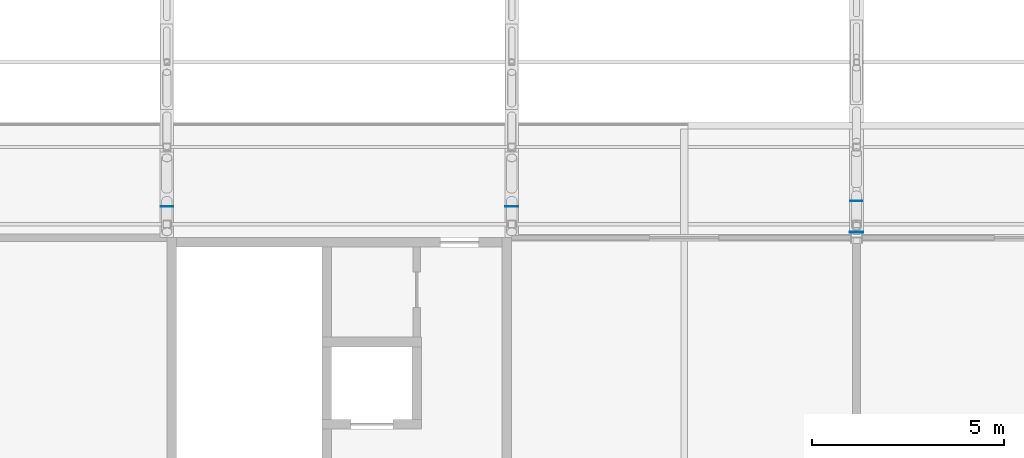
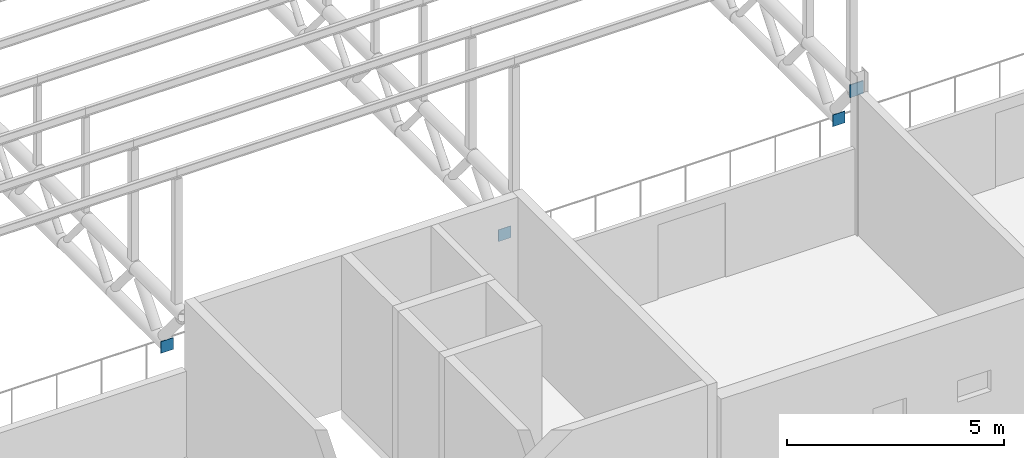
# One storey, part 104 of 138: 4 plates.
"""IFC4 building model written with IfcOpenShell, lengths in metres."""

import ifcopenshell
import ifcopenshell.guid

model = None  # the IFC model being written
_history = None  # IfcOwnerHistory: only IFC2X3 demands one
_inside = {}  # id of a spatial element -> (the spatial element, [elements in it])
_under = {}  # id of a project, library or spatial element -> (it, [spatial elements below it])
_declared = {}  # id of a project -> (the project, [libraries it declares])
_typed = {}  # id of a type object -> (the type object, [elements of that type])
_made_of = {}  # id of a material, layer set ... -> (it, [elements and type objects made of it])


def new_model(schema):
    """Start an empty IFC model of exactly this schema.

    Asked for "IFC4X3", IfcOpenShell would pick the latest addendum, in which some entities
    have other attributes; the version numbers below select the first issue.
    IFC2X3 requires an IfcOwnerHistory on every rooted entity: one is made here for all.
    """
    global model, _history
    if schema == "IFC4X3":
        model = ifcopenshell.file(schema_version=(4, 3, 0, 0))
    else:
        model = ifcopenshell.file(schema=schema)
    _inside.clear()
    _under.clear()
    _declared.clear()
    _typed.clear()
    _made_of.clear()
    _history = None
    if model.schema == "IFC2X3":
        org = make("IfcOrganization", Name="unknown")
        user = make(
            "IfcPersonAndOrganization",
            ThePerson=make("IfcPerson", FamilyName="unknown"),
            TheOrganization=org,
        )
        app = make(
            "IfcApplication",
            ApplicationDeveloper=org,
            Version="unknown",
            ApplicationFullName="unknown",
            ApplicationIdentifier="unknown",
        )
        _history = make(
            "IfcOwnerHistory",
            OwningUser=user,
            OwningApplication=app,
            ChangeAction="ADDED",
            CreationDate=0,
        )
    return model


def make(cls, **values):
    """One entity of the class cls with the attributes given. An attribute that is None is left unset."""
    return model.create_entity(
        cls, **{name: value for name, value in values.items() if value is not None}
    )


def rooted(cls, **values):
    """An entity with a GlobalId (a new one), such as an element, a storey or a relation."""
    return make(cls, GlobalId=ifcopenshell.guid.new(), OwnerHistory=_history, **values)


def si_unit(unit_type, name, prefix=None):
    """IfcSIUnit, for example si_unit("LENGTHUNIT", "METRE", prefix="MILLI")."""
    return make("IfcSIUnit", UnitType=unit_type, Prefix=prefix, Name=name)


def assignment(units):
    """IfcUnitAssignment: the units of a project."""
    return None if units is None else make("IfcUnitAssignment", Units=units)


def point(xyz):
    """IfcCartesianPoint."""
    return None if xyz is None else make("IfcCartesianPoint", Coordinates=xyz)


def direction(xyz):
    """IfcDirection."""
    return None if xyz is None else make("IfcDirection", DirectionRatios=xyz)


def frame(location, z_axis=None, x_axis=None):
    """IfcAxis2Placement3D, a coordinate frame: its origin and axes. An axis left out is left unset."""
    return make(
        "IfcAxis2Placement3D",
        Location=point(location),
        Axis=direction(z_axis),
        RefDirection=direction(x_axis),
    )


def frame_2d(location, x_axis=None):
    """IfcAxis2Placement2D, a coordinate frame in the plane: its origin and x axis."""
    return make(
        "IfcAxis2Placement2D", Location=point(location), RefDirection=direction(x_axis)
    )


def origin():
    """The frame at (0, 0, 0) with its axes left unset."""
    return frame((0.0, 0.0, 0.0))


def origin_2d():
    """The frame at (0, 0) in the plane with its x axis left unset."""
    return frame_2d((0.0, 0.0))


def place(relative_to, where):
    """IfcLocalPlacement: puts the frame where relative to a parent placement (None: the world)."""
    return make(
        "IfcLocalPlacement", PlacementRelTo=relative_to, RelativePlacement=where
    )


def context(
    kind, dimensions, precision=None, world=None, true_north=None, identifier=None
):
    """IfcGeometricRepresentationContext, for example the 3D "Model" context."""
    return make(
        "IfcGeometricRepresentationContext",
        ContextIdentifier=identifier,
        ContextType=kind,
        CoordinateSpaceDimension=dimensions,
        Precision=precision,
        WorldCoordinateSystem=world,
        TrueNorth=true_north,
    )


def subcontext(parent, identifier, kind, view, scale=None):
    """IfcGeometricRepresentationSubContext, for example "Body" below "Model"."""
    return make(
        "IfcGeometricRepresentationSubContext",
        ContextIdentifier=identifier,
        ContextType=kind,
        ParentContext=parent,
        TargetScale=scale,
        TargetView=view,
    )


def project(units=None, contexts=None):
    """IfcProject with its units and contexts."""
    return rooted(
        "IfcProject",
        Name="project",
        RepresentationContexts=contexts,
        UnitsInContext=assignment(units),
    )


def spatial(cls, under=None, at=None, **own):
    """A site, building, storey or space (cls), placed at a placement, below another one or the project."""
    s = rooted(cls, ObjectPlacement=at, **own)
    if under is not None:
        _under.setdefault(under.id(), (under, []))[1].append(s)
    return s


def profile(cls, at=None, kind="AREA", **sizes):
    """A parametric profile (cls). Its sizes go by their IFC names, for example OverallWidth=200.0."""
    return make(cls, ProfileType=kind, Position=at, **sizes)


def rectangle(**sizes):
    """IfcRectangleProfileDef."""
    return profile("IfcRectangleProfileDef", **sizes)


def extrude(swept, where, along, depth):
    """IfcExtrudedAreaSolid: the profile swept, set in the frame where, extruded along a direction by depth."""
    return make(
        "IfcExtrudedAreaSolid",
        SweptArea=swept,
        Position=where,
        ExtrudedDirection=direction(along),
        Depth=depth,
    )


def shape(context_of_items, identifier, shape_type, items):
    """IfcShapeRepresentation: the items that make up one representation, for example the "Body"."""
    return make(
        "IfcShapeRepresentation",
        ContextOfItems=context_of_items,
        RepresentationIdentifier=identifier,
        RepresentationType=shape_type,
        Items=items,
    )


def material(Name=None, Category=None):
    """IfcMaterial."""
    return make("IfcMaterial", Name=Name, Category=Category)


def layer(
    of_material, thickness, ventilated=None, Name=None, Category=None, Priority=None
):
    """IfcMaterialLayer: one layer of a wall or slab, of a material (None: an air gap)."""
    return make(
        "IfcMaterialLayer",
        Material=of_material,
        LayerThickness=thickness,
        IsVentilated=ventilated,
        Name=Name,
        Category=Category,
        Priority=Priority,
    )


def layer_set(layers, Name=None):
    """IfcMaterialLayerSet."""
    return make("IfcMaterialLayerSet", MaterialLayers=layers, LayerSetName=Name)


def made_of(thing, what):
    """Note that an element or type object is made of a material, layer set ...; save() writes the relation."""
    if what is not None:
        _made_of.setdefault(what.id(), (what, []))[1].append(thing)
    return thing


def type_object(cls, material=None, **own):
    """A type object (cls), such as IfcWallType, which elements share."""
    return made_of(rooted(cls, **own), material)


def element(
    cls,
    number,
    at=None,
    inside=None,
    cuts=None,
    type_object=None,
    material=None,
    context=None,
    identifier="Body",
    shape_type=None,
    held_by="IfcProductDefinitionShape",
    body=None,
    shapes=None,
    **own,
):
    """One element of the class cls, such as IfcWall. Its Tag is "e" and its number.

    at: its placement. inside: the storey or other place that contains it. cuts: it is an
    opening in that element (IfcRelVoidsElement). A single representation is given by context,
    identifier, shape_type and body (its items); several are given by shapes. held_by: the class
    of the entity that holds the representations. save() writes the other relations.
    """
    e = rooted(cls, Tag="e%d" % number, ObjectPlacement=at, **own)
    if body is not None:
        shapes = [shape(context, identifier, shape_type, body)]
    if shapes is not None:
        e.Representation = make(held_by, Representations=shapes)
    if inside is not None:
        _inside.setdefault(inside.id(), (inside, []))[1].append(e)
    if cuts is not None:
        rooted(
            "IfcRelVoidsElement", RelatingBuildingElement=cuts, RelatedOpeningElement=e
        )
    if type_object is not None:
        _typed.setdefault(type_object.id(), (type_object, []))[1].append(e)
    return made_of(e, material)


def aggregate(whole, parts):
    """IfcRelAggregates: a whole, such as a stair, and the parts it consists of."""
    return rooted("IfcRelAggregates", RelatingObject=whole, RelatedObjects=parts)


def save(model, path):
    """Write the relations noted so far, then the file.

    IfcRelAggregates (storeys below a building ...), IfcRelContainedInSpatialStructure (elements
    in a storey), IfcRelDefinesByType, IfcRelAssociatesMaterial and IfcRelDeclares: one each for
    every whole, place, type object, material and project.
    """
    for whole, parts in _under.values():
        aggregate(whole, parts)
    for where, things in _inside.values():
        rooted(
            "IfcRelContainedInSpatialStructure",
            RelatedElements=things,
            RelatingStructure=where,
        )
    for kind, things in _typed.values():
        rooted("IfcRelDefinesByType", RelatedObjects=things, RelatingType=kind)
    for what, things in _made_of.values():
        rooted("IfcRelAssociatesMaterial", RelatedObjects=things, RelatingMaterial=what)
    for by, libraries in _declared.values():
        rooted("IfcRelDeclares", RelatingContext=by, RelatedDefinitions=libraries)
    model.write(path)


model = new_model("IFC4")

# Units and contexts
model_context = context("Model", 3, precision=1e-05, world=origin(), true_north=direction((0.0, 1.0)))
body_context = subcontext(model_context, "Body", "Model", "MODEL_VIEW")
ifc_project = project(units=[si_unit("LENGTHUNIT", "METRE"), si_unit("AREAUNIT", "SQUARE_METRE"), si_unit("VOLUMEUNIT", "CUBIC_METRE"), si_unit("PLANEANGLEUNIT", "RADIAN"), si_unit("MASSUNIT", "GRAM", prefix="KILO")], contexts=[model_context])

# Site, building, storey
site_placement = place(None, origin())
site = spatial("IfcSite", under=ifc_project, at=site_placement, CompositionType="ELEMENT")
building_placement = place(site_placement, origin())
building = spatial("IfcBuilding", under=site, at=building_placement, Name="Corbel Yard City Hall", CompositionType="ELEMENT")
storey_placement = place(building_placement, frame((0.0, 0.0, 10.5)))
storey = spatial("IfcBuildingStorey", under=building, at=storey_placement, Name="L02", CompositionType="ELEMENT", Elevation=10.5)

# Plates
ifc_material = material(Name="Steel Grade 300 (300 MPa yield)", Category="steel")
ifc_layer_1 = layer(ifc_material, 0.01611328125)
ifc_layer_set_1 = layer_set([ifc_layer_1], Name="Steel Grade 300 (300 MPa yield)")
plate_type_1 = type_object("IfcPlateType", Name="Truss bottom chord cap plate", PredefinedType="NOTDEFINED", material=ifc_layer_set_1)
for number, where, z_axis, x_axis, name in (
    (1, (45.0, 9.807373046875, 2.42724609375), (0.0, 0.0, 1.0), (1.0, 0.0, 0.0), "Truss bottom chord cap plate EP2"),
    (2, (54.0, 9.807373046875, 2.42724609375), (0.0, 0.0, 1.0), (1.0, 0.0, 0.0), "Truss bottom chord cap plate EP2"),
    (3, (63.0, 9.950439453125, 2.42724609375), (0.0, 0.0, 1.0), (1.0, 0.0, 0.0), "Truss bottom chord cap plate EP2"),
):
    element("IfcPlate", number, at=place(storey_placement, frame(where, z_axis=z_axis, x_axis=x_axis)), inside=storey, type_object=plate_type_1, Name=name, PredefinedType="NOTDEFINED", context=body_context, shape_type="SweptSolid", body=[
        extrude(rectangle(XDim=0.330078125, YDim=0.01611328125, at=origin_2d()), origin(), (0.0, 0.0, 1.0), 0.330078125),
    ])
ifc_layer_2 = layer(ifc_material, 0.02490234375)
ifc_layer_set_2 = layer_set([ifc_layer_2], Name="Steel Grade 300 (300 MPa yield)")
plate_type_2 = type_object("IfcPlateType", Name="Truss top chord end plate", PredefinedType="NOTDEFINED", material=ifc_layer_set_2)
plate_placement = place(storey_placement, frame((63.0, 9.139892578125, 3.7421875), z_axis=(0.0, 0.0, 1.0), x_axis=(1.0, 0.0, 0.0)))
element("IfcPlate", 4, at=plate_placement, inside=storey, type_object=plate_type_2, Name="Truss top chord end plate EP1", PredefinedType="NOTDEFINED", context=body_context, shape_type="SweptSolid", body=[
    extrude(rectangle(XDim=0.360107421875, YDim=0.02490234375, at=origin_2d()), origin(), (0.0, 0.0, 1.0), 0.360107421875),
])

save(model, "model.ifc")
